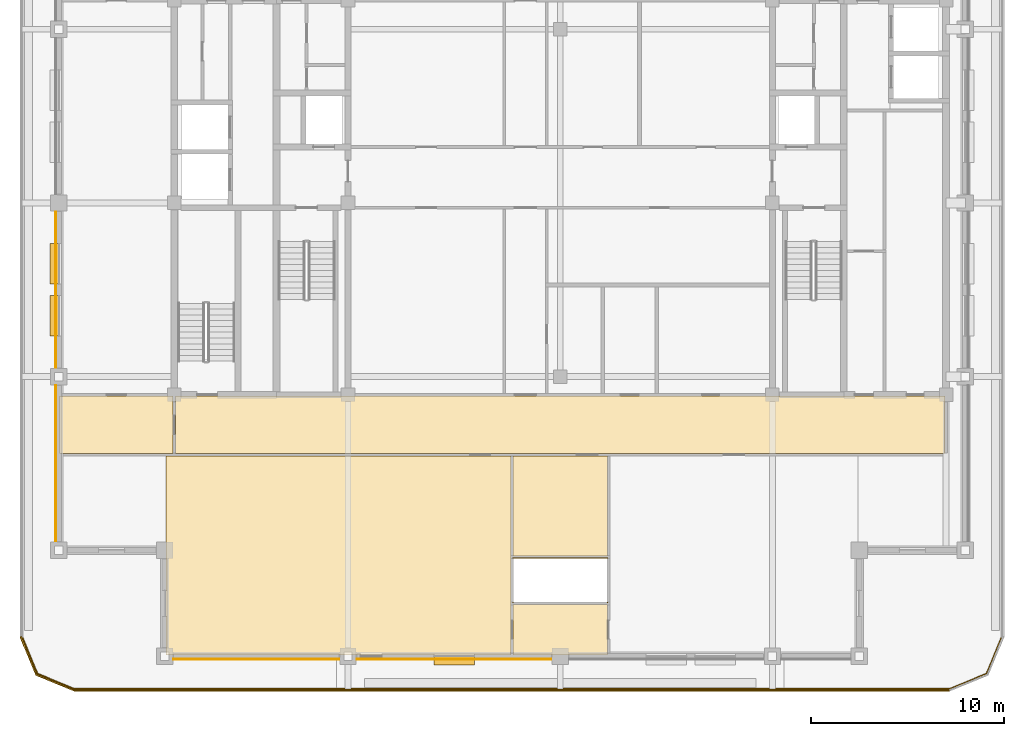
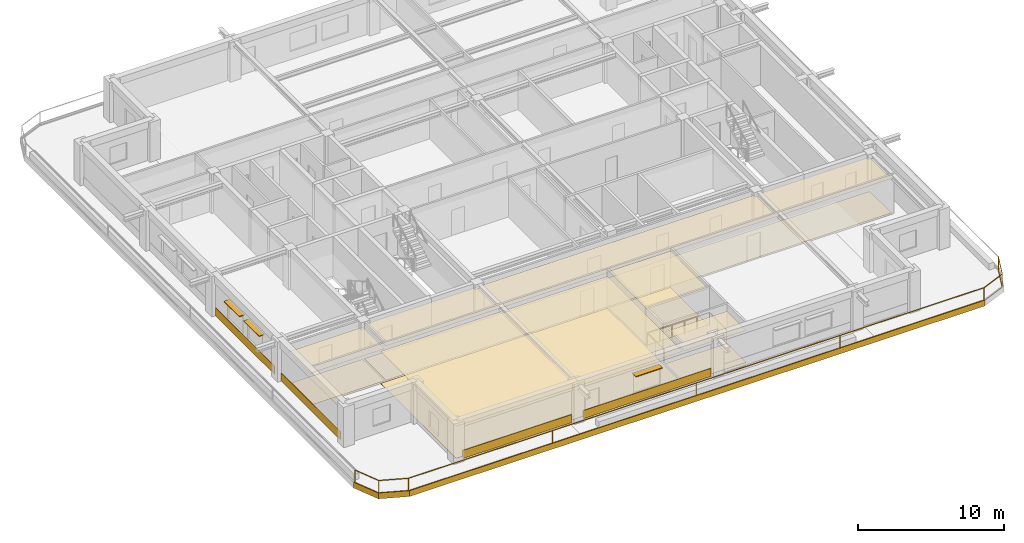
# One storey, part 7 of 11: 17 coverings, 3 shading devices, 2 railings.
"""IFC4 building model written with IfcOpenShell, lengths in metres."""

from ifc_helpers import new_model, si_unit, direction, frame, frame_2d, origin, origin_2d, place, context, subcontext, project, spatial, polyline, rectangle, outline, extrude, material, layer, layer_set, type_object, element, save


model = new_model("IFC4")

# Units and contexts
model_context = context("Model", 3, precision=1e-05, world=origin(), true_north=direction((0.0, 1.0)))
body_context = subcontext(model_context, "Body", "Model", "MODEL_VIEW")
ifc_project = project(units=[si_unit("LENGTHUNIT", "METRE"), si_unit("AREAUNIT", "SQUARE_METRE"), si_unit("VOLUMEUNIT", "CUBIC_METRE"), si_unit("PLANEANGLEUNIT", "RADIAN"), si_unit("MASSUNIT", "GRAM", prefix="KILO")], contexts=[model_context])

# Site, building, storey
site_placement = place(None, origin())
site = spatial("IfcSite", under=ifc_project, at=site_placement, CompositionType="ELEMENT")
building_placement = place(site_placement, origin())
building = spatial("IfcBuilding", under=site, at=building_placement, Name="Zulmaris Gate Convention Tower", CompositionType="ELEMENT")
storey_placement = place(building_placement, frame((0.0, 0.0, 274.320068359375)))
storey = spatial("IfcBuildingStorey", under=building, at=storey_placement, Name="L73", CompositionType="ELEMENT", Elevation=274.320068359375)

# Coverings
ifc_material_1 = material(Name="Precast concrete C40/50", Category="concrete")
ifc_layer_1 = layer(ifc_material_1, 0.0400390625, Name="Precast concrete C40/50")
ifc_layer_set_1 = layer_set([ifc_layer_1], Name="Precast concrete C40/50")
covering_type_1 = type_object("IfcCoveringType", Name="CLAD-SPANDREL-PRECAST", PredefinedType="CLADDING", material=ifc_layer_set_1)
covering_1_placement = place(storey_placement, frame((-20.044921875, -23.64990234375, 0.0), z_axis=(0.0, 0.0, 1.0), x_axis=(1.0, 0.0, 0.0)))
element("IfcCovering", 1, at=covering_1_placement, inside=storey, type_object=covering_type_1, Name="CLD-L73-S-0_0", PredefinedType="CLADDING", context=body_context, shape_type="SweptSolid", body=[
    extrude(rectangle(XDim=8.58984375, YDim=0.0400390625, at=frame_2d((4.294921875, 0.0))), origin(), (0.0, 0.0, 1.0), 0.679931640625),
])
covering_2_placement = place(storey_placement, frame((-10.544921875, -23.64990234375, 0.0), z_axis=(0.0, 0.0, 1.0), x_axis=(1.0, 0.0, 0.0)))
element("IfcCovering", 2, at=covering_2_placement, inside=storey, type_object=covering_type_1, Name="CLD-L73-S-1_0", PredefinedType="CLADDING", context=body_context, shape_type="SweptSolid", body=[
    extrude(rectangle(XDim=10.08984375, YDim=0.0400390625, at=frame_2d((5.044921875, 0.0))), origin(), (0.0, 0.0, 1.0), 0.679931640625),
])
for number, where, z_axis, x_axis, name in (
    (3, (-26.14990234375, -9.455078125, 0.0), (0.0, 0.0, 1.0), (0.0, -1.0, 0.0), "CLD-L73-W-0_0"),
    (4, (-26.14990234375, -0.455078125, 0.0), (0.0, 0.0, 1.0), (0.0, -1.0, 0.0), "CLD-L73-W-1_0"),
):
    element("IfcCovering", number, at=place(storey_placement, frame(where, z_axis=z_axis, x_axis=x_axis)), inside=storey, type_object=covering_type_1, Name=name, PredefinedType="CLADDING", context=body_context, shape_type="SweptSolid", body=[
        extrude(rectangle(XDim=8.08984375, YDim=0.0400390625, at=frame_2d((4.044921875, 0.0))), origin(), (0.0, 0.0, 1.0), 0.679931640625),
    ])
ifc_material_2 = material(Name="White Glazed Architectural Precast Concrete C40/50", Category="concrete")
ifc_layer_2 = layer(ifc_material_2, 0.080078125, Name="White Glazed Architectural Precast Concrete C40/50")
ifc_layer_set_2 = layer_set([ifc_layer_2], Name="White Glazed Architectural Precast Concrete C40/50")
covering_type_2 = type_object("IfcCoveringType", Name="CLAD-TRAY-FASCIA", PredefinedType="CLADDING", material=ifc_layer_set_2)
covering_3_placement = place(storey_placement, frame((-27.962890625, -22.484619140625, -0.364990234375), z_axis=(0.0, 0.0, 1.0), x_axis=(0.382656984709, -0.923890487046, 0.0)))
element("IfcCovering", 5, at=covering_3_placement, inside=storey, type_object=covering_type_2, Name="FSC-L73-TR-00", PredefinedType="CLADDING", context=body_context, shape_type="SweptSolid", body=[
    extrude(rectangle(XDim=2.14306640625, YDim=0.080078125, at=frame_2d((1.071533203125, 0.0))), origin(), (0.0, 0.0, 1.0), 0.485107421875),
])
covering_4_placement = place(storey_placement, frame((-27.16455078125, -24.44287109375, -0.364990234375), z_axis=(0.0, 0.0, 1.0), x_axis=(0.923873803533, -0.382697263049, 0.0)))
element("IfcCovering", 6, at=covering_4_placement, inside=storey, type_object=covering_type_2, Name="FSC-L73-TR-01", PredefinedType="CLADDING", context=body_context, shape_type="SweptSolid", body=[
    extrude(rectangle(XDim=2.142822265625, YDim=0.080078125, at=frame_2d((1.0712890625, 0.0))), origin(), (0.0, 0.0, 1.0), 0.485107421875),
])
covering_5_placement = place(storey_placement, frame((-25.199951171875, -25.260009765625, -0.364990234375), z_axis=(0.0, 0.0, 1.0), x_axis=(1.0, 0.0, 0.0)))
element("IfcCovering", 7, at=covering_5_placement, inside=storey, type_object=covering_type_2, Name="FSC-L73-TR-02", PredefinedType="CLADDING", context=body_context, shape_type="SweptSolid", body=[
    extrude(rectangle(XDim=45.39990234375, YDim=0.080078125, at=frame_2d((22.699951171875, 0.0))), origin(), (0.0, 0.0, 1.0), 0.485107421875),
])
ifc_material_3 = material(Name="Mineral Fibre Acoustic Ceiling Tile")
ifc_layer_3 = layer(ifc_material_3, 0.02001953125, Name="Mineral Fibre Acoustic Ceiling Tile")
ifc_layer_set_3 = layer_set([ifc_layer_3], Name="Mineral Fibre Acoustic Ceiling Tile")
covering_type_3 = type_object("IfcCoveringType", Name="CLG-ACOUSTIC-600", PredefinedType="CEILING", material=ifc_layer_set_3)
covering_6_placement = place(storey_placement, frame((0.0, 0.0, 2.873046875)))
element("IfcCovering", 8, at=covering_6_placement, inside=storey, type_object=covering_type_3, Name="CLG-L73-R33", PredefinedType="CEILING", context=body_context, shape_type="SweptSolid", body=[
    extrude(outline(polyline([(-19.93994140625, -12.989990234375), (19.93994140625, -12.989990234375), (19.93994140625, -10.010009765625), (-19.93994140625, -10.010009765625), (-19.93994140625, -12.989990234375)])), origin(), (0.0, 0.0, 1.0), 0.02001953125),
])
covering_7_placement = place(storey_placement, frame((0.0, 0.0, 2.675048828125)))
element("IfcCovering", 9, at=covering_7_placement, inside=storey, type_object=covering_type_3, Name="CLG-L73-R39", PredefinedType="CEILING", context=body_context, shape_type="SweptSolid", body=[
    extrude(outline(polyline([(-2.43994140625, -23.43994140625), (2.43994140625, -23.43994140625), (2.43994140625, -20.81005859375), (-2.43994140625, -20.81005859375), (-2.43994140625, -23.43994140625)])), origin(), (0.0, 0.0, 1.0), 0.02001953125),
])
covering_8_placement = place(storey_placement, frame((0.0, 0.0, 3.034912109375)))
element("IfcCovering", 10, at=covering_8_placement, inside=storey, type_object=covering_type_3, Name="CLG-L73-R40", PredefinedType="CEILING", context=body_context, shape_type="SweptSolid", body=[
    extrude(outline(polyline([(-2.43994140625, -18.2900390625), (2.43994140625, -18.2900390625), (2.43994140625, -13.110107421875), (-2.43994140625, -13.110107421875), (-2.43994140625, -18.2900390625)])), origin(), (0.0, 0.0, 1.0), 0.02001953125),
])
covering_9_placement = place(storey_placement, frame((0.0, 0.0, 2.675048828125)))
element("IfcCovering", 11, at=covering_9_placement, inside=storey, type_object=covering_type_3, Name="CLG-L73-R41", PredefinedType="CEILING", context=body_context, shape_type="SweptSolid", body=[
    extrude(outline(polyline([(-20.43994140625, -23.43994140625), (-2.56005859375, -23.43994140625), (-2.56005859375, -13.110107421875), (-20.43994140625, -13.110107421875), (-20.43994140625, -23.43994140625)])), origin(), (0.0, 0.0, 1.0), 0.02001953125),
])
covering_10_placement = place(storey_placement, frame((0.0, 0.0, 2.675048828125)))
element("IfcCovering", 12, at=covering_10_placement, inside=storey, type_object=covering_type_3, Name="CLG-L73-R52", PredefinedType="CEILING", context=body_context, shape_type="SweptSolid", body=[
    extrude(outline(polyline([(-25.93994140625, -12.989990234375), (-20.06005859375, -12.989990234375), (-20.06005859375, -10.010009765625), (-25.93994140625, -10.010009765625), (-25.93994140625, -12.989990234375)])), origin(), (0.0, 0.0, 1.0), 0.02001953125),
])
ifc_material_4 = material(Name="Woven Acoustic Wool Carpet Tile")
ifc_layer_4 = layer(ifc_material_4, 0.02001953125, Name="Woven Acoustic Wool Carpet Tile")
ifc_layer_set_4 = layer_set([ifc_layer_4], Name="Woven Acoustic Wool Carpet Tile")
covering_type_4 = type_object("IfcCoveringType", Name="FLR-CARPET-12", PredefinedType="FLOORING", material=ifc_layer_set_4)
covering_11_placement = place(storey_placement, origin())
element("IfcCovering", 13, at=covering_11_placement, inside=storey, type_object=covering_type_4, Name="FLR-L73-R33", PredefinedType="FLOORING", context=body_context, shape_type="SweptSolid", body=[
    extrude(outline(polyline([(-19.93994140625, -12.989990234375), (19.93994140625, -12.989990234375), (19.93994140625, -10.010009765625), (-19.93994140625, -10.010009765625), (-19.93994140625, -12.989990234375)])), origin(), (0.0, 0.0, 1.0), 0.02001953125),
])
covering_12_placement = place(storey_placement, origin())
element("IfcCovering", 14, at=covering_12_placement, inside=storey, type_object=covering_type_4, Name="FLR-L73-R41", PredefinedType="FLOORING", context=body_context, shape_type="SweptSolid", body=[
    extrude(outline(polyline([(-20.43994140625, -23.43994140625), (-2.56005859375, -23.43994140625), (-2.56005859375, -13.110107421875), (-20.43994140625, -13.110107421875), (-20.43994140625, -23.43994140625)])), origin(), (0.0, 0.0, 1.0), 0.02001953125),
])
covering_13_placement = place(storey_placement, origin())
element("IfcCovering", 15, at=covering_13_placement, inside=storey, type_object=covering_type_4, Name="FLR-L73-R52", PredefinedType="FLOORING", context=body_context, shape_type="SweptSolid", body=[
    extrude(outline(polyline([(-25.93994140625, -12.989990234375), (-20.06005859375, -12.989990234375), (-20.06005859375, -10.010009765625), (-25.93994140625, -10.010009765625), (-25.93994140625, -12.989990234375)])), origin(), (0.0, 0.0, 1.0), 0.02001953125),
])
ifc_material_5 = material(Name="Engineered Teak Parquet Flooring")
ifc_layer_5 = layer(ifc_material_5, 0.02001953125, Name="Engineered Teak Parquet Flooring")
ifc_layer_set_5 = layer_set([ifc_layer_5], Name="Engineered Teak Parquet Flooring")
covering_type_5 = type_object("IfcCoveringType", Name="FLR-TIMBER-18", PredefinedType="FLOORING", material=ifc_layer_set_5)
covering_14_placement = place(storey_placement, origin())
element("IfcCovering", 16, at=covering_14_placement, inside=storey, type_object=covering_type_5, Name="FLR-L73-R39", PredefinedType="FLOORING", context=body_context, shape_type="SweptSolid", body=[
    extrude(outline(polyline([(-2.43994140625, -23.43994140625), (2.43994140625, -23.43994140625), (2.43994140625, -20.81005859375), (-2.43994140625, -20.81005859375), (-2.43994140625, -23.43994140625)])), origin(), (0.0, 0.0, 1.0), 0.02001953125),
])
covering_15_placement = place(storey_placement, origin())
element("IfcCovering", 17, at=covering_15_placement, inside=storey, type_object=covering_type_5, Name="FLR-L73-R40", PredefinedType="FLOORING", context=body_context, shape_type="SweptSolid", body=[
    extrude(outline(polyline([(-2.43994140625, -18.2900390625), (2.43994140625, -18.2900390625), (2.43994140625, -13.110107421875), (-2.43994140625, -13.110107421875), (-2.43994140625, -18.2900390625)])), origin(), (0.0, 0.0, 1.0), 0.02001953125),
])

# Railings
ifc_material_6 = material(Name="Laminated Glass and Stainless Steel", Category="steel")
railing_type_1 = type_object("IfcRailingType", Name="RL-BALC-1150", PredefinedType="BALUSTRADE", material=ifc_material_6)
railing_1_placement = place(storey_placement, frame((-27.8798828125, -22.5, -0.0400390625)))
element("IfcRailing", 18, at=railing_1_placement, inside=storey, type_object=railing_type_1, Name="RL-L73-BALC-S", PredefinedType="BALUSTRADE", context=body_context, shape_type="SweptSolid", body=[
    extrude(rectangle(XDim=0.048095703125, YDim=0.048095703125, at=origin_2d()), frame((0.0, 0.0, 1.1259765625), z_axis=(0.382670664694, -0.92388482095, 0.0), x_axis=(0.92388482095, 0.382670664694, 0.0)), (0.0, 0.0, 1.0), 2.051025390625),
    extrude(rectangle(XDim=0.048095703125, YDim=0.048095703125, at=origin_2d()), frame((0.0, 0.0, 0.02392578125), z_axis=(0.382670664694, -0.92388482095, 0.0), x_axis=(0.92388482095, 0.382670664694, 0.0)), (0.0, 0.0, 1.0), 2.051025390625),
    extrude(rectangle(XDim=0.048095703125, YDim=0.048095703125, at=origin_2d()), frame((0.784912109375, -1.89501953125, 1.1259765625), z_axis=(0.92388482095, -0.382670664694, 0.0), x_axis=(0.382670664694, 0.92388482095, 0.0)), (0.0, 0.0, 1.0), 2.051025390625),
    extrude(rectangle(XDim=0.048095703125, YDim=0.048095703125, at=origin_2d()), frame((0.784912109375, -1.89501953125, 0.02392578125), z_axis=(0.92388482095, -0.382670664694, 0.0), x_axis=(0.382670664694, 0.92388482095, 0.0)), (0.0, 0.0, 1.0), 2.051025390625),
    extrude(rectangle(XDim=0.048095703125, YDim=0.048095703125, at=origin_2d()), frame((2.679931640625, -2.679931640625, 1.1259765625), z_axis=(1.0, 0.0, 0.0), x_axis=(0.0, 1.0, 0.0)), (0.0, 0.0, 1.0), 45.39990234375),
    extrude(rectangle(XDim=0.048095703125, YDim=0.048095703125, at=origin_2d()), frame((2.679931640625, -2.679931640625, 0.02392578125), z_axis=(1.0, 0.0, 0.0), x_axis=(0.0, 1.0, 0.0)), (0.0, 0.0, 1.0), 45.39990234375),
    extrude(rectangle(XDim=0.048095703125, YDim=0.048095703125, at=origin_2d()), frame((48.079833984375, -2.679931640625, 1.1259765625), z_axis=(0.92388482095, 0.382670664694, 0.0), x_axis=(-0.382670664694, 0.92388482095, 0.0)), (0.0, 0.0, 1.0), 2.051025390625),
    extrude(rectangle(XDim=0.048095703125, YDim=0.048095703125, at=origin_2d()), frame((48.079833984375, -2.679931640625, 0.02392578125), z_axis=(0.92388482095, 0.382670664694, 0.0), x_axis=(-0.382670664694, 0.92388482095, 0.0)), (0.0, 0.0, 1.0), 2.051025390625),
    extrude(rectangle(XDim=0.048095703125, YDim=0.048095703125, at=origin_2d()), frame((49.974853515625, -1.89501953125, 1.1259765625), z_axis=(0.382670664694, 0.92388482095, 0.0), x_axis=(-0.92388482095, 0.382670664694, 0.0)), (0.0, 0.0, 1.0), 2.051025390625),
    extrude(rectangle(XDim=0.048095703125, YDim=0.048095703125, at=origin_2d()), frame((49.974853515625, -1.89501953125, 0.02392578125), z_axis=(0.382670664694, 0.92388482095, 0.0), x_axis=(-0.92388482095, 0.382670664694, 0.0)), (0.0, 0.0, 1.0), 2.051025390625),
    extrude(rectangle(XDim=0.0419921875, YDim=0.0419921875, at=origin_2d()), origin(), (0.0, 0.0, 1.0), 1.101806640625),
    extrude(rectangle(XDim=0.0419921875, YDim=0.0419921875, at=origin_2d()), frame((0.784912109375, -1.89501953125, 0.0)), (0.0, 0.0, 1.0), 1.101806640625),
    extrude(rectangle(XDim=0.0419921875, YDim=0.0419921875, at=origin_2d()), frame((2.679931640625, -2.679931640625, 0.0)), (0.0, 0.0, 1.0), 1.101806640625),
    extrude(rectangle(XDim=0.0419921875, YDim=0.0419921875, at=origin_2d()), frame((14.02978515625, -2.679931640625, 0.0)), (0.0, 0.0, 1.0), 1.101806640625),
    extrude(rectangle(XDim=0.0419921875, YDim=0.0419921875, at=origin_2d()), frame((25.3798828125, -2.679931640625, 0.0)), (0.0, 0.0, 1.0), 1.101806640625),
    extrude(rectangle(XDim=0.0419921875, YDim=0.0419921875, at=origin_2d()), frame((36.72998046875, -2.679931640625, 0.0)), (0.0, 0.0, 1.0), 1.101806640625),
    extrude(rectangle(XDim=0.0419921875, YDim=0.0419921875, at=origin_2d()), frame((48.079833984375, -2.679931640625, 0.0)), (0.0, 0.0, 1.0), 1.101806640625),
    extrude(rectangle(XDim=0.0419921875, YDim=0.0419921875, at=origin_2d()), frame((49.974853515625, -1.89501953125, 0.0)), (0.0, 0.0, 1.0), 1.101806640625),
    extrude(rectangle(XDim=0.0419921875, YDim=0.0419921875, at=origin_2d()), frame((50.759765625, 0.0, 0.0)), (0.0, 0.0, 1.0), 1.101806640625),
])
ifc_material_7 = material(Name="Painted Galvanised Steel", Category="steel")
railing_type_2 = type_object("IfcRailingType", Name="RL-GUARD-1150", PredefinedType="GUARDRAIL", material=ifc_material_7)
railing_2_placement = place(storey_placement, frame((-2.449951171875, -20.699951171875, 0.0)))
element("IfcRailing", 19, at=railing_2_placement, inside=storey, type_object=railing_type_2, Name="RL-L73-SKYGARDEN-VOID", PredefinedType="GUARDRAIL", context=body_context, shape_type="SweptSolid", body=[
    extrude(rectangle(XDim=0.048095703125, YDim=0.048095703125, at=origin_2d()), frame((0.0, 0.0, 1.1259765625), z_axis=(0.0, 1.0, 0.0), x_axis=(-1.0, 0.0, 0.0)), (0.0, 0.0, 1.0), 2.300048828125),
    extrude(rectangle(XDim=0.048095703125, YDim=0.048095703125, at=origin_2d()), frame((0.0, 2.300048828125, 1.1259765625), z_axis=(1.0, 0.0, 0.0), x_axis=(0.0, 1.0, 0.0)), (0.0, 0.0, 1.0), 4.89990234375),
    extrude(rectangle(XDim=0.048095703125, YDim=0.048095703125, at=origin_2d()), frame((4.89990234375, 2.300048828125, 1.1259765625), z_axis=(0.0, -1.0, 0.0), x_axis=(1.0, 0.0, 0.0)), (0.0, 0.0, 1.0), 2.300048828125),
    extrude(rectangle(XDim=0.0419921875, YDim=0.0419921875, at=origin_2d()), origin(), (0.0, 0.0, 1.0), 1.101806640625),
    extrude(rectangle(XDim=0.0419921875, YDim=0.0419921875, at=origin_2d()), frame((0.0, 1.14990234375, 0.0)), (0.0, 0.0, 1.0), 1.101806640625),
    extrude(rectangle(XDim=0.0419921875, YDim=0.0419921875, at=origin_2d()), frame((0.0, 2.300048828125, 0.0)), (0.0, 0.0, 1.0), 1.101806640625),
    extrude(rectangle(XDim=0.0419921875, YDim=0.0419921875, at=origin_2d()), frame((0.97998046875, 2.300048828125, 0.0)), (0.0, 0.0, 1.0), 1.101806640625),
    extrude(rectangle(XDim=0.0419921875, YDim=0.0419921875, at=origin_2d()), frame((1.9599609375, 2.300048828125, 0.0)), (0.0, 0.0, 1.0), 1.101806640625),
    extrude(rectangle(XDim=0.0419921875, YDim=0.0419921875, at=origin_2d()), frame((2.93994140625, 2.300048828125, 0.0)), (0.0, 0.0, 1.0), 1.101806640625),
    extrude(rectangle(XDim=0.0419921875, YDim=0.0419921875, at=origin_2d()), frame((3.919921875, 2.300048828125, 0.0)), (0.0, 0.0, 1.0), 1.101806640625),
    extrude(rectangle(XDim=0.0419921875, YDim=0.0419921875, at=origin_2d()), frame((4.89990234375, 2.300048828125, 0.0)), (0.0, 0.0, 1.0), 1.101806640625),
    extrude(rectangle(XDim=0.0419921875, YDim=0.0419921875, at=origin_2d()), frame((4.89990234375, 1.14990234375, 0.0)), (0.0, 0.0, 1.0), 1.101806640625),
    extrude(rectangle(XDim=0.0419921875, YDim=0.0419921875, at=origin_2d()), frame((4.89990234375, 0.0, 0.0)), (0.0, 0.0, 1.0), 1.101806640625),
])

# Shading devices
ifc_material_8 = material(Name="Glazed Ceramic Terracotta", Category="masonry")
ifc_layer_6 = layer(ifc_material_8, 0.070068359375, Name="Glazed Ceramic Terracotta")
ifc_layer_set_6 = layer_set([ifc_layer_6], Name="Glazed Ceramic Terracotta")
shading_device_type = type_object("IfcShadingDeviceType", Name="SHD-SUNSHADE-TC", PredefinedType="AWNING", material=ifc_layer_set_6)
shading_device_placement = place(storey_placement, frame((-6.550048828125, -23.719970703125, 2.22998046875), z_axis=(0.0, 0.0, 1.0), x_axis=(1.0, 0.0, 0.0)))
element("IfcShadingDevice", 20, at=shading_device_placement, inside=storey, type_object=shading_device_type, Name="SHD-EW-L73-S-1_0-2", PredefinedType="AWNING", context=body_context, shape_type="SweptSolid", body=[
    extrude(rectangle(XDim=2.10009765625, YDim=0.43994140625, at=frame_2d((1.050048828125, 0.0))), origin(), (0.0, 0.0, 1.0), 0.070068359375),
])
for number, where, z_axis, x_axis, name in (
    (21, (-26.219970703125, -2.10205078125, 2.22998046875), (0.0, 0.0, 1.0), (0.0, -1.0, 0.0), "SHD-EW-L73-W-1_0-1"),
    (22, (-26.219970703125, -4.798095703125, 2.22998046875), (0.0, 0.0, 1.0), (0.0, -1.0, 0.0), "SHD-EW-L73-W-1_0-2"),
):
    element("IfcShadingDevice", number, at=place(storey_placement, frame(where, z_axis=z_axis, x_axis=x_axis)), inside=storey, type_object=shading_device_type, Name=name, PredefinedType="AWNING", context=body_context, shape_type="SweptSolid", body=[
        extrude(rectangle(XDim=2.099853515625, YDim=0.43994140625, at=frame_2d((1.0498046875, 0.0))), origin(), (0.0, 0.0, 1.0), 0.070068359375),
    ])

save(model, "model.ifc")
